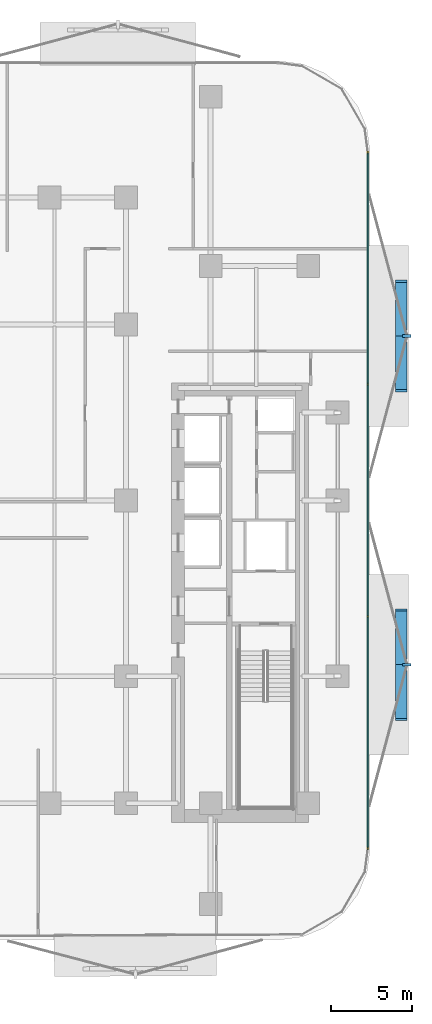
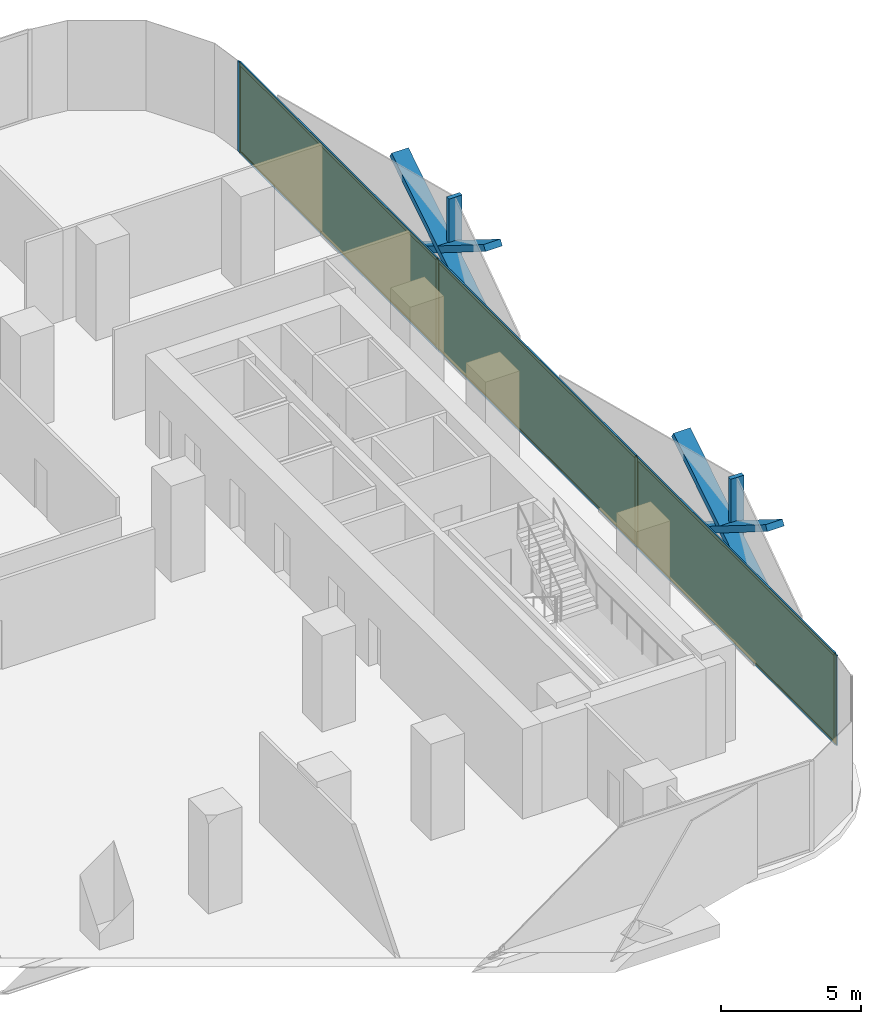
# One storey, part 10 of 16: 16 members, 3 plates, 1 curtain wall.
"""IFC4 building model written with IfcOpenShell, lengths in metres."""

from ifc_helpers import new_model, si_unit, direction, frame, frame_2d, origin, origin_2d, place, context, subcontext, project, spatial, rectangle, extrude, material, layer, layer_set, material_profile, profile_set, type_object, element, aggregate, save


model = new_model("IFC4")

# Units and contexts
model_context = context("Model", 3, precision=1e-05, world=origin(), true_north=direction((0.0, 1.0)))
body_context = subcontext(model_context, "Body", "Model", "MODEL_VIEW")
ifc_project = project(units=[si_unit("LENGTHUNIT", "METRE"), si_unit("AREAUNIT", "SQUARE_METRE"), si_unit("VOLUMEUNIT", "CUBIC_METRE"), si_unit("PLANEANGLEUNIT", "RADIAN"), si_unit("MASSUNIT", "GRAM", prefix="KILO")], contexts=[model_context])

# Member
ifc_material_1 = material(Name="Anodised Bronze Aluminium 6063-T6", Category="aluminium")
ifc_material_profile_1 = material_profile(ifc_material_1, rectangle(XDim=0.260009765625, YDim=0.699951171875, at=origin_2d()))
ifc_profile_set_1 = profile_set([ifc_material_profile_1], Name="Anodised Bronze Aluminium 6063-T6")
member_type_1 = type_object("IfcMemberType", Name="Bronze Diamond Solar-Screen Lattice Rib BDL-700", PredefinedType="MULLION", material=ifc_profile_set_1)
site_placement = place(None, origin())
building_placement = place(site_placement, origin())
storey_placement = place(building_placement, frame((0.0, 0.0, 55.39990234375)))
member_1_placement = place(storey_placement, frame((26.10009765625, 13.46044921875, -0.1298828125), z_axis=(0.0, -0.848362902952, 0.529415134744), x_axis=(0.0, -0.529415134744, -0.848362902952)))
member_1 = element("IfcMember", 1, at=member_1_placement, type_object=member_type_1, Name="L13 Bronze Diamond Solar Screen Lattice Rib 63A", PredefinedType="MULLION", context=body_context, shape_type="SweptSolid", body=[
    extrude(rectangle(XDim=0.260009765625, YDim=0.699951171875, at=origin_2d()), origin(), (0.0, 0.0, 1.0), 7.93310546875),
])

member_2_placement = place(storey_placement, frame((26.10009765625, 6.730224609375, -0.1298828125), z_axis=(0.0, 0.848362902952, 0.529415134744), x_axis=(0.0, 0.529415134744, -0.848362902952)))
member_2 = element("IfcMember", 2, at=member_2_placement, type_object=member_type_1, Name="L13 Bronze Diamond Solar Screen Lattice Rib 63B", PredefinedType="MULLION", context=body_context, shape_type="SweptSolid", body=[
    extrude(rectangle(XDim=0.260009765625, YDim=0.699951171875, at=origin_2d()), origin(), (0.0, 0.0, 1.0), 7.93310546875),
])

member_3_placement = place(storey_placement, frame((26.10009765625, -6.730224609375, -0.1298828125), z_axis=(0.0, -0.848362902952, 0.529415134744), x_axis=(0.0, -0.529415134744, -0.848362902952)))
member_3 = element("IfcMember", 3, at=member_3_placement, type_object=member_type_1, Name="L13 Bronze Diamond Solar Screen Lattice Rib 64A", PredefinedType="MULLION", context=body_context, shape_type="SweptSolid", body=[
    extrude(rectangle(XDim=0.260009765625, YDim=0.699951171875, at=origin_2d()), origin(), (0.0, 0.0, 1.0), 7.93310546875),
])

member_4_placement = place(storey_placement, frame((26.10009765625, -13.46044921875, -0.1298828125), z_axis=(0.0, 0.848362902952, 0.529415134744), x_axis=(0.0, 0.529415134744, -0.848362902952)))
member_4 = element("IfcMember", 4, at=member_4_placement, type_object=member_type_1, Name="L13 Bronze Diamond Solar Screen Lattice Rib 64B", PredefinedType="MULLION", context=body_context, shape_type="SweptSolid", body=[
    extrude(rectangle(XDim=0.260009765625, YDim=0.699951171875, at=origin_2d()), origin(), (0.0, 0.0, 1.0), 7.93310546875),
])

ifc_material_2 = material(Name="Anodised Bronze Aluminium 6063-T6", Category="aluminium")
ifc_material_profile_2 = material_profile(ifc_material_2, rectangle(XDim=0.179931640625, YDim=0.5400390625, at=origin_2d()))
ifc_profile_set_2 = profile_set([ifc_material_profile_2], Name="Anodised Bronze Aluminium 6063-T6")
member_type_2 = type_object("IfcMemberType", Name="Bronze Solar-Screen Vertical Fold Fin BSF-540", PredefinedType="MULLION", material=ifc_profile_set_2)
member_5_placement = place(storey_placement, frame((26.43994140625, 10.095458984375, -0.1298828125), z_axis=(0.0, 0.0, 1.0), x_axis=(0.0, -1.0, 0.0)))
member_5 = element("IfcMember", 5, at=member_5_placement, type_object=member_type_2, Name="L13 Bronze Solar Screen Vertical Fin 63", PredefinedType="MULLION", context=body_context, shape_type="SweptSolid", body=[
    extrude(rectangle(XDim=0.179931640625, YDim=0.5400390625, at=origin_2d()), origin(), (0.0, 0.0, 1.0), 4.199951171875),
])

member_6_placement = place(storey_placement, frame((26.43994140625, -10.095458984375, -0.1298828125), z_axis=(0.0, 0.0, 1.0), x_axis=(0.0, -1.0, 0.0)))
member_6 = element("IfcMember", 6, at=member_6_placement, type_object=member_type_2, Name="L13 Bronze Solar Screen Vertical Fin 64", PredefinedType="MULLION", context=body_context, shape_type="SweptSolid", body=[
    extrude(rectangle(XDim=0.179931640625, YDim=0.5400390625, at=origin_2d()), origin(), (0.0, 0.0, 1.0), 4.199951171875),
])

ifc_material_3 = material(Name="Anodised Bronze Aluminium 6063-T6", Category="aluminium")
ifc_material_profile_3 = material_profile(ifc_material_3, rectangle(XDim=0.06494140625, YDim=0.179931640625, at=origin_2d()))
ifc_profile_set_3 = profile_set([ifc_material_profile_3], Name="Anodised Bronze Aluminium 6063-T6")
member_type_3 = type_object("IfcMemberType", Name="CW-Z1 Mullion 65x180", PredefinedType="MULLION", material=ifc_profile_set_3)
member_7_placement = place(storey_placement, frame((24.06005859375, 21.3583984375, 0.0), z_axis=(0.0, 0.0, 1.0), x_axis=(1.0, 0.0, 0.0)))
member_7 = element("IfcMember", 7, at=member_7_placement, type_object=member_type_3, Name="CW-Z1 mullion 1", PredefinedType="MULLION", context=body_context, shape_type="SweptSolid", body=[
    extrude(rectangle(XDim=0.06494140625, YDim=0.179931640625, at=origin_2d()), origin(), (0.0, 0.0, 1.0), 3.940185546875),
])

member_8_placement = place(storey_placement, frame((24.06005859375, 7.13037109375, 0.0), z_axis=(0.0, 0.0, 1.0), x_axis=(1.0, 0.0, 0.0)))
member_8 = element("IfcMember", 8, at=member_8_placement, type_object=member_type_3, Name="CW-Z1 mullion 2", PredefinedType="MULLION", context=body_context, shape_type="SweptSolid", body=[
    extrude(rectangle(XDim=0.06494140625, YDim=0.179931640625, at=origin_2d()), origin(), (0.0, 0.0, 1.0), 3.940185546875),
])

member_9_placement = place(storey_placement, frame((24.06005859375, -7.13037109375, 0.0), z_axis=(0.0, 0.0, 1.0), x_axis=(1.0, 0.0, 0.0)))
member_9 = element("IfcMember", 9, at=member_9_placement, type_object=member_type_3, Name="CW-Z1 mullion 3", PredefinedType="MULLION", context=body_context, shape_type="SweptSolid", body=[
    extrude(rectangle(XDim=0.06494140625, YDim=0.179931640625, at=origin_2d()), origin(), (0.0, 0.0, 1.0), 3.940185546875),
])

member_10_placement = place(storey_placement, frame((24.06005859375, -21.3583984375, 0.0), z_axis=(0.0, 0.0, 1.0), x_axis=(1.0, 0.0, 0.0)))
member_10 = element("IfcMember", 10, at=member_10_placement, type_object=member_type_3, Name="CW-Z1 mullion 4", PredefinedType="MULLION", context=body_context, shape_type="SweptSolid", body=[
    extrude(rectangle(XDim=0.06494140625, YDim=0.179931640625, at=origin_2d()), origin(), (0.0, 0.0, 1.0), 3.940185546875),
])

ifc_material_4 = material(Name="Anodised Bronze Aluminium 6063-T6", Category="aluminium")
ifc_material_profile_4 = material_profile(ifc_material_4, rectangle(XDim=0.06494140625, YDim=0.139892578125, at=origin_2d()))
ifc_profile_set_4 = profile_set([ifc_material_profile_4], Name="Anodised Bronze Aluminium 6063-T6")
member_type_4 = type_object("IfcMemberType", Name="CW-Z1 Transom 65x140", PredefinedType="USERDEFINED", material=ifc_profile_set_4)
member_11_placement = place(storey_placement, frame((24.06005859375, 21.32568359375, 0.03271484375), z_axis=(0.0, -1.0, 0.0), x_axis=(1.0, 0.0, 0.0)))
member_11 = element("IfcMember", 11, at=member_11_placement, type_object=member_type_4, Name="CW-Z1 transom 1.1", ObjectType="TRANSOM", PredefinedType="USERDEFINED", context=body_context, shape_type="SweptSolid", body=[
    extrude(rectangle(XDim=0.06494140625, YDim=0.139892578125, at=origin_2d()), origin(), (0.0, 0.0, 1.0), 14.162841796875),
])

member_12_placement = place(storey_placement, frame((24.06005859375, 21.32568359375, 3.90771484375), z_axis=(0.0, -1.0, 0.0), x_axis=(1.0, 0.0, 0.0)))
member_12 = element("IfcMember", 12, at=member_12_placement, type_object=member_type_4, Name="CW-Z1 transom 1.2", ObjectType="TRANSOM", PredefinedType="USERDEFINED", context=body_context, shape_type="SweptSolid", body=[
    extrude(rectangle(XDim=0.06494140625, YDim=0.139892578125, at=origin_2d()), origin(), (0.0, 0.0, 1.0), 14.162841796875),
])

member_13_placement = place(storey_placement, frame((24.06005859375, 7.09765625, 0.03271484375), z_axis=(0.0, -1.0, 0.0), x_axis=(1.0, 0.0, 0.0)))
member_13 = element("IfcMember", 13, at=member_13_placement, type_object=member_type_4, Name="CW-Z1 transom 2.1", ObjectType="TRANSOM", PredefinedType="USERDEFINED", context=body_context, shape_type="SweptSolid", body=[
    extrude(rectangle(XDim=0.06494140625, YDim=0.139892578125, at=origin_2d()), origin(), (0.0, 0.0, 1.0), 14.1953125),
])

member_14_placement = place(storey_placement, frame((24.06005859375, 7.09765625, 3.90771484375), z_axis=(0.0, -1.0, 0.0), x_axis=(1.0, 0.0, 0.0)))
member_14 = element("IfcMember", 14, at=member_14_placement, type_object=member_type_4, Name="CW-Z1 transom 2.2", ObjectType="TRANSOM", PredefinedType="USERDEFINED", context=body_context, shape_type="SweptSolid", body=[
    extrude(rectangle(XDim=0.06494140625, YDim=0.139892578125, at=origin_2d()), origin(), (0.0, 0.0, 1.0), 14.1953125),
])

member_15_placement = place(storey_placement, frame((24.06005859375, -7.162841796875, 0.03271484375), z_axis=(0.0, -1.0, 0.0), x_axis=(1.0, 0.0, 0.0)))
member_15 = element("IfcMember", 15, at=member_15_placement, type_object=member_type_4, Name="CW-Z1 transom 3.1", ObjectType="TRANSOM", PredefinedType="USERDEFINED", context=body_context, shape_type="SweptSolid", body=[
    extrude(rectangle(XDim=0.06494140625, YDim=0.139892578125, at=origin_2d()), origin(), (0.0, 0.0, 1.0), 14.162841796875),
])

member_16_placement = place(storey_placement, frame((24.06005859375, -7.162841796875, 3.90771484375), z_axis=(0.0, -1.0, 0.0), x_axis=(1.0, 0.0, 0.0)))
member_16 = element("IfcMember", 16, at=member_16_placement, type_object=member_type_4, Name="CW-Z1 transom 3.2", ObjectType="TRANSOM", PredefinedType="USERDEFINED", context=body_context, shape_type="SweptSolid", body=[
    extrude(rectangle(XDim=0.06494140625, YDim=0.139892578125, at=origin_2d()), origin(), (0.0, 0.0, 1.0), 14.162841796875),
])

# Plate
ifc_material_5 = material(Name="Low-E Solar Control Laminated Glass", Category="glass")
ifc_layer_1 = layer(ifc_material_5, 0.028076171875, Name="Low-E Solar Control Laminated Glass")
ifc_layer_set_1 = layer_set([ifc_layer_1], Name="Low-E Solar Control Laminated Glass")
plate_type = type_object("IfcPlateType", Name="CW-Z1 Low-E Double Glazed Panel 28mm", PredefinedType="CURTAIN_PANEL", material=ifc_layer_set_1)
plate_1_placement = place(storey_placement, frame((24.06005859375, 14.244384765625, 0.065185546875), z_axis=(0.0, 0.0, 1.0), x_axis=(0.0, -1.0, 0.0)))
plate_1 = element("IfcPlate", 17, at=plate_1_placement, type_object=plate_type, Name="CW-Z1 panel 1.1", PredefinedType="CURTAIN_PANEL", context=body_context, shape_type="SweptSolid", body=[
    extrude(rectangle(XDim=14.1630859375, YDim=0.028076171875, at=origin_2d()), origin(), (0.0, 0.0, 1.0), 3.81005859375),
])

plate_2_placement = place(storey_placement, frame((24.06005859375, 0.0, 0.065185546875), z_axis=(0.0, 0.0, 1.0), x_axis=(0.0, -1.0, 0.0)))
plate_2 = element("IfcPlate", 18, at=plate_2_placement, type_object=plate_type, Name="CW-Z1 panel 2.1", PredefinedType="CURTAIN_PANEL", context=body_context, shape_type="SweptSolid", body=[
    extrude(rectangle(XDim=14.195556640625, YDim=0.028076171875, at=origin_2d()), origin(), (0.0, 0.0, 1.0), 3.81005859375),
])

plate_3_placement = place(storey_placement, frame((24.06005859375, -14.244384765625, 0.065185546875), z_axis=(0.0, 0.0, 1.0), x_axis=(0.0, -1.0, 0.0)))
plate_3 = element("IfcPlate", 19, at=plate_3_placement, type_object=plate_type, Name="CW-Z1 panel 3.1", PredefinedType="CURTAIN_PANEL", context=body_context, shape_type="SweptSolid", body=[
    extrude(rectangle(XDim=14.1630859375, YDim=0.028076171875, at=origin_2d()), origin(), (0.0, 0.0, 1.0), 3.81005859375),
])

# Site, building, storey
site = spatial("IfcSite", under=ifc_project, at=site_placement, CompositionType="ELEMENT")
building = spatial("IfcBuilding", under=site, at=building_placement, Name="Khairoan Windgate Tower", CompositionType="ELEMENT")
storey = spatial("IfcBuildingStorey", under=building, at=storey_placement, Name="L13", CompositionType="ELEMENT", Elevation=55.39990234375)

# Curtain wall
ifc_material_6 = material(Name="Anodised Bronze Aluminium 6063-T6", Category="aluminium")
ifc_layer_2 = layer(ifc_material_6, 0.179931640625, Name="Anodised Bronze Aluminium 6063-T6")
ifc_layer_set_2 = layer_set([ifc_layer_2], Name="Anodised Bronze Aluminium 6063-T6")
curtain_wall_type = type_object("IfcCurtainWallType", Name="Low-Rise Office Unitised Curtain Wall CW-Z1", PredefinedType="NOTDEFINED", material=ifc_layer_set_2)
curtain_wall_placement = place(storey_placement, frame((24.06005859375, 21.390869140625, 0.0), z_axis=(0.0, 0.0, 1.0), x_axis=(0.0, -1.0, 0.0)))
curtain_wall = element("IfcCurtainWall", 20, at=curtain_wall_placement, inside=storey, type_object=curtain_wall_type, Name="L13 Unitised Curtain Wall 16", PredefinedType="NOTDEFINED", context=body_context, shape_type="SweptSolid", body=[
    extrude(rectangle(XDim=42.78173828125, YDim=0.010009765625, at=frame_2d((21.390869140625, 0.0))), origin(), (0.0, 0.0, 1.0), 3.940185546875),
])

aggregate(curtain_wall, [member_7, member_8, member_9, member_10, member_11, member_12, plate_1, member_13, member_14, plate_2, member_15, member_16, plate_3, member_1, member_2, member_5, member_3, member_4, member_6])

save(model, "model.ifc")
